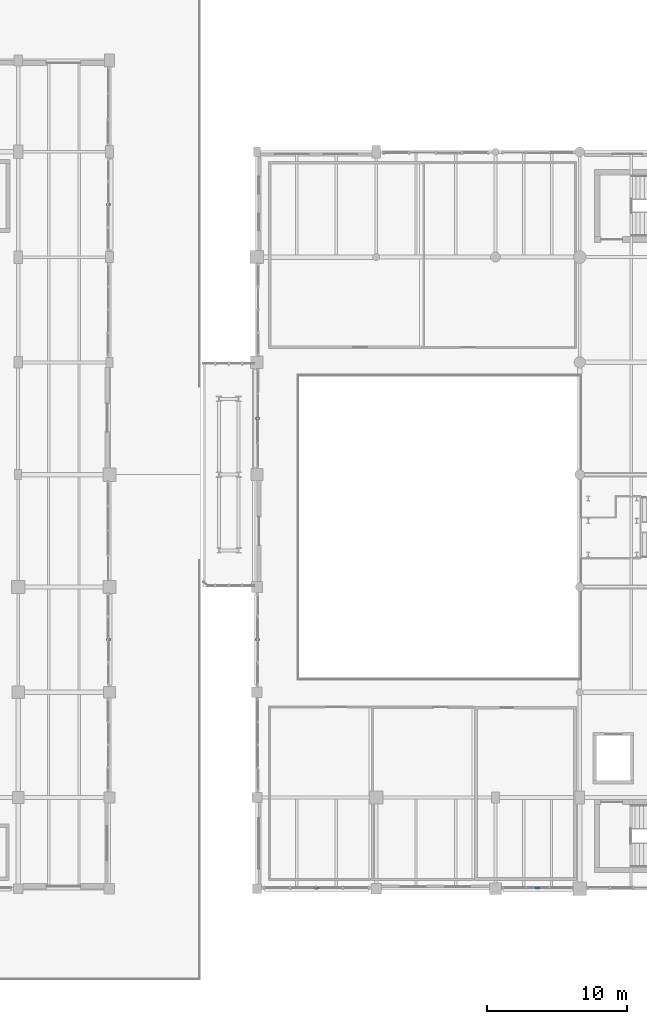
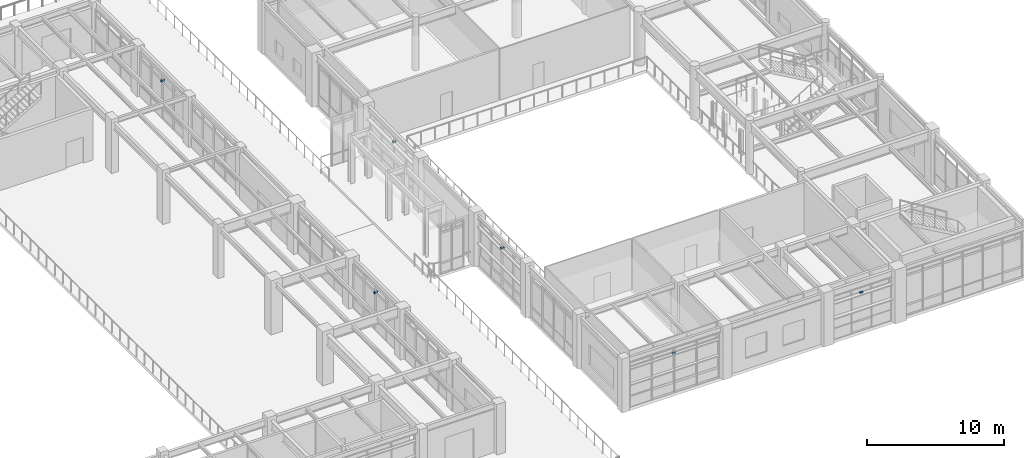
# One storey, part 188 of 200: 6 discrete accessories.
"""IFC4 building model written with IfcOpenShell, lengths in metres."""

from ifc_helpers import new_model, si_unit, direction, frame, origin, origin_2d, place, context, subcontext, project, spatial, rectangle, extrude, material, type_object, element, save


model = new_model("IFC4")

# Units and contexts
model_context = context("Model", 3, precision=1e-05, world=origin(), true_north=direction((0.0, 1.0)))
body_context = subcontext(model_context, "Body", "Model", "MODEL_VIEW")
ifc_project = project(units=[si_unit("LENGTHUNIT", "METRE"), si_unit("AREAUNIT", "SQUARE_METRE"), si_unit("VOLUMEUNIT", "CUBIC_METRE"), si_unit("PLANEANGLEUNIT", "RADIAN"), si_unit("MASSUNIT", "GRAM", prefix="KILO"), si_unit("THERMODYNAMICTEMPERATUREUNIT", "KELVIN"), si_unit("POWERUNIT", "WATT")], contexts=[model_context])

# Site, building, storey
site_placement = place(None, origin())
site = spatial("IfcSite", under=ifc_project, at=site_placement, CompositionType="ELEMENT")
building_placement = place(site_placement, origin())
building = spatial("IfcBuilding", under=site, at=building_placement, Name="Tepalcoro Natatorium and Aquatics Centre", CompositionType="ELEMENT")
storey_placement = place(building_placement, frame((0.0, 0.0, 5.39990234375)))
storey = spatial("IfcBuildingStorey", under=building, at=storey_placement, Name="L01", CompositionType="ELEMENT", Elevation=5.39990234375)

# Discrete accessories
ifc_material_1 = material(Name="Plate Steel ASTM A572 Grade 50 (Fy 345 MPa)", Category="steel")
discrete_accessory_type_1 = type_object("IfcDiscreteAccessoryType", Name="BRK_FACADE_GALV", PredefinedType="BRACKET", material=ifc_material_1)
for number, where, z_axis, x_axis, name in (
    (1, (131.43505859375, 55.25, 3.2841796875), (0.0, 0.0, 1.0), (1.0, 0.0, 0.0), "Solar Shading Outrigger Bracket BRK_FACADE_GALV"),
    (2, (162.0, 6.561279296875, 3.2880859375), (0.0, 0.0, 1.0), (1.0, 0.0, 0.0), "Solar Shading Outrigger Bracket BRK_FACADE_GALV"),
    (3, (142.05615234375, 40.0, 3.3642578125), (0.0, 0.0, 1.0), (1.0, 0.0, 0.0), "Solar Shading Outrigger Bracket BRK_FACADE_GALV"),
):
    element("IfcDiscreteAccessory", number, at=place(storey_placement, frame(where, z_axis=z_axis, x_axis=x_axis)), inside=storey, type_object=discrete_accessory_type_1, Name=name, PredefinedType="BRACKET", context=body_context, shape_type="SweptSolid", body=[
        extrude(rectangle(XDim=0.280029296875, YDim=0.159912109375, at=origin_2d()), origin(), (0.0, 0.0, 1.0), 0.159912109375),
    ])
ifc_material_2 = material(Name="Marine-Grade Brushed Stainless Steel AISI 316L", Category="steel")
discrete_accessory_type_2 = type_object("IfcDiscreteAccessoryType", Name="BRK_SEISMIC_SS", PredefinedType="BRACKET", material=ifc_material_2)
for number, where, z_axis, x_axis, name in (
    (4, (131.43505859375, 24.25, 3.2841796875), (0.0, 0.0, 1.0), (1.0, 0.0, 0.0), "Solar Shading Outrigger Bracket BRK_SEISMIC_SS"),
    (5, (146.25, 6.561279296875, 3.43994140625), (0.0, 0.0, 1.0), (1.0, 0.0, 0.0), "Solar Shading Outrigger Bracket BRK_SEISMIC_SS"),
    (6, (142.05615234375, 24.25, 3.4873046875), (0.0, 0.0, 1.0), (1.0, 0.0, 0.0), "Solar Shading Outrigger Bracket BRK_SEISMIC_SS"),
):
    element("IfcDiscreteAccessory", number, at=place(storey_placement, frame(where, z_axis=z_axis, x_axis=x_axis)), inside=storey, type_object=discrete_accessory_type_2, Name=name, PredefinedType="BRACKET", context=body_context, shape_type="SweptSolid", body=[
        extrude(rectangle(XDim=0.280029296875, YDim=0.159912109375, at=origin_2d()), origin(), (0.0, 0.0, 1.0), 0.159912109375),
    ])

save(model, "model.ifc")
